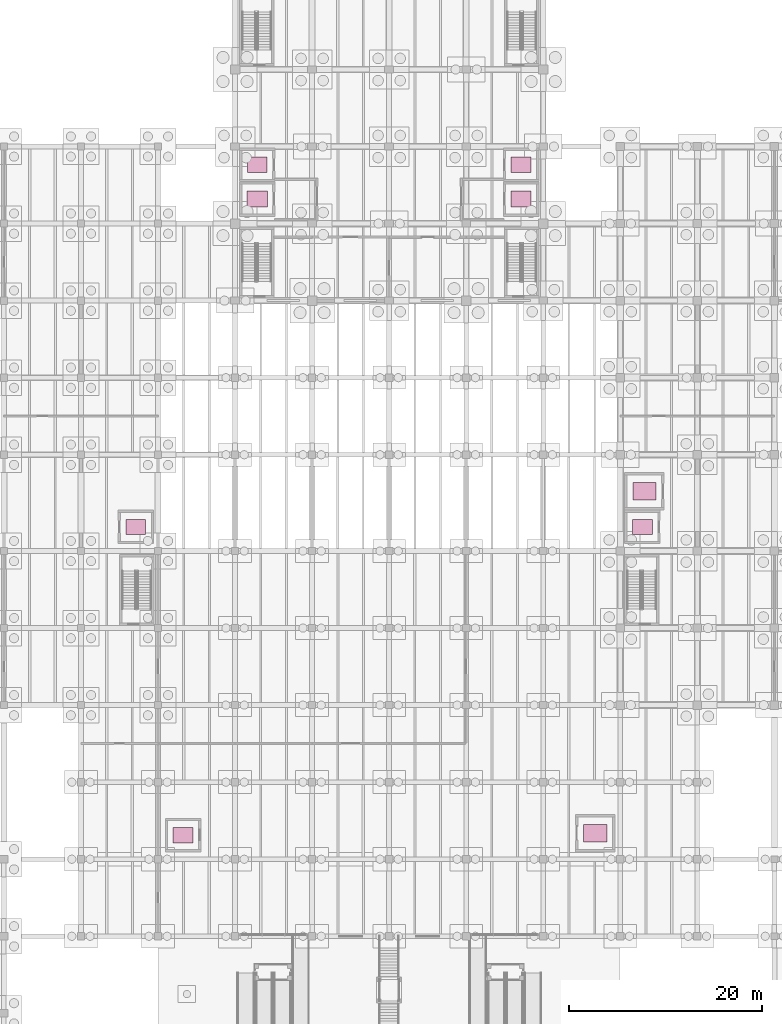
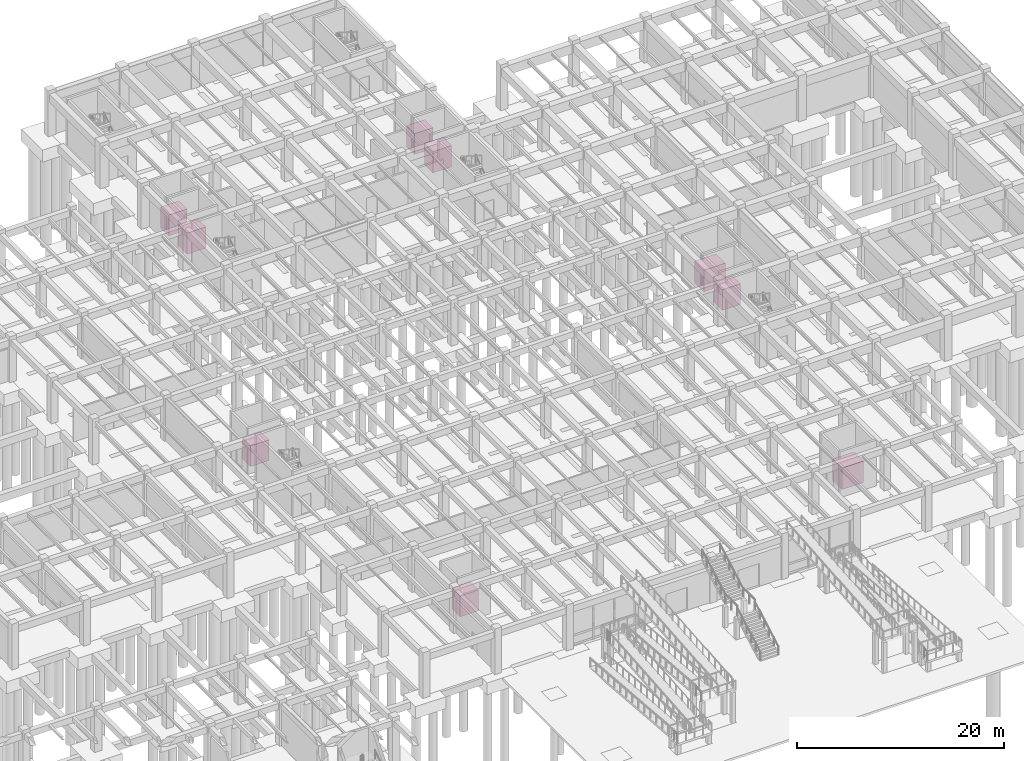
# One storey, part 44 of 44: 9 transport elements.
"""IFC4 building model written with IfcOpenShell, lengths in metres."""

from ifc_helpers import new_model, si_unit, direction, frame, origin, origin_2d, place, context, subcontext, project, spatial, rectangle, extrude, material, type_object, element, save


model = new_model("IFC4")

# Units and contexts
model_context = context("Model", 3, precision=1e-05, world=origin(), true_north=direction((0.0, 1.0)))
body_context = subcontext(model_context, "Body", "Model", "MODEL_VIEW")
ifc_project = project(units=[si_unit("LENGTHUNIT", "METRE"), si_unit("AREAUNIT", "SQUARE_METRE"), si_unit("VOLUMEUNIT", "CUBIC_METRE"), si_unit("PLANEANGLEUNIT", "RADIAN"), si_unit("MASSUNIT", "GRAM", prefix="KILO")], contexts=[model_context])

# Site, building, storey
site_placement = place(None, origin())
site = spatial("IfcSite", under=ifc_project, at=site_placement, CompositionType="ELEMENT")
building_placement = place(site_placement, origin())
building = spatial("IfcBuilding", under=site, at=building_placement, Name="Pecanmere Concourse Central Library", CompositionType="ELEMENT")
storey_placement = place(building_placement, frame((0.0, 0.0, -5.39990234375)))
storey = spatial("IfcBuildingStorey", under=building, at=storey_placement, Name="B1", CompositionType="ELEMENT", Elevation=-5.39990234375)

# Transport elements
ifc_material_1 = material(Name="Brushed stainless steel Grade 316", Category="steel")
transport_element_type_1 = type_object("IfcTransportElementType", Name="LIFT_TYPE_LF-01", PredefinedType="ELEVATOR", material=ifc_material_1)
transport_element_1_placement = place(storey_placement, frame((74.300048828125, 100.550048828125, 0.0498046875), z_axis=(0.0, 0.0, 1.0), x_axis=(1.0, 0.0, 0.0)))
element("IfcTransportElement", 1, at=transport_element_1_placement, inside=storey, type_object=transport_element_type_1, Name="Firefighting Elevator LF-01", PredefinedType="ELEVATOR", context=body_context, shape_type="SweptSolid", body=[
    extrude(rectangle(XDim=2.10009765625, YDim=1.64990234375, at=origin_2d()), origin(), (0.0, 0.0, 1.0), 2.5),
])
ifc_material_2 = material(Name="Brushed stainless steel Grade 316", Category="steel")
transport_element_type_2 = type_object("IfcTransportElementType", Name="LIFT_TYPE_LF-02", PredefinedType="ELEVATOR", material=ifc_material_2)
transport_element_2_placement = place(storey_placement, frame((101.699951171875, 100.550048828125, 0.0498046875), z_axis=(0.0, 0.0, 1.0), x_axis=(1.0, 0.0, 0.0)))
element("IfcTransportElement", 2, at=transport_element_2_placement, inside=storey, type_object=transport_element_type_2, Name="Firefighting Elevator LF-02", PredefinedType="ELEVATOR", context=body_context, shape_type="SweptSolid", body=[
    extrude(rectangle(XDim=2.10009765625, YDim=1.64990234375, at=origin_2d()), origin(), (0.0, 0.0, 1.0), 2.5),
])
ifc_material_3 = material(Name="Brushed stainless steel Grade 316", Category="steel")
transport_element_type_3 = type_object("IfcTransportElementType", Name="LIFT_TYPE_LP-01", PredefinedType="ELEVATOR", material=ifc_material_3)
transport_element_3_placement = place(storey_placement, frame((74.300048828125, 104.10009765625, 0.0498046875), z_axis=(0.0, 0.0, 1.0), x_axis=(1.0, 0.0, 0.0)))
element("IfcTransportElement", 3, at=transport_element_3_placement, inside=storey, type_object=transport_element_type_3, Name="Atrium Passenger Elevator LP-01", PredefinedType="ELEVATOR", context=body_context, shape_type="SweptSolid", body=[
    extrude(rectangle(XDim=2.050048828125, YDim=1.60009765625, at=origin_2d()), origin(), (0.0, 0.0, 1.0), 2.449951171875),
])
ifc_material_4 = material(Name="Brushed stainless steel Grade 316", Category="steel")
transport_element_type_4 = type_object("IfcTransportElementType", Name="LIFT_TYPE_LP-02", PredefinedType="ELEVATOR", material=ifc_material_4)
transport_element_4_placement = place(storey_placement, frame((101.699951171875, 104.10009765625, 0.0498046875), z_axis=(0.0, 0.0, 1.0), x_axis=(1.0, 0.0, 0.0)))
element("IfcTransportElement", 4, at=transport_element_4_placement, inside=storey, type_object=transport_element_type_4, Name="Atrium Passenger Elevator LP-02", PredefinedType="ELEVATOR", context=body_context, shape_type="SweptSolid", body=[
    extrude(rectangle(XDim=2.050048828125, YDim=1.60009765625, at=origin_2d()), origin(), (0.0, 0.0, 1.0), 2.449951171875),
])
ifc_material_5 = material(Name="Brushed stainless steel Grade 316", Category="steel")
transport_element_type_5 = type_object("IfcTransportElementType", Name="LIFT_TYPE_LP-03", PredefinedType="ELEVATOR", material=ifc_material_5)
transport_element_5_placement = place(storey_placement, frame((114.300048828125, 66.5, 0.0498046875), z_axis=(0.0, 0.0, 1.0), x_axis=(1.0, 0.0, 0.0)))
element("IfcTransportElement", 5, at=transport_element_5_placement, inside=storey, type_object=transport_element_type_5, Name="East Wing Passenger Elevator LP-03", PredefinedType="ELEVATOR", context=body_context, shape_type="SweptSolid", body=[
    extrude(rectangle(XDim=2.050048828125, YDim=1.60009765625, at=origin_2d()), origin(), (0.0, 0.0, 1.0), 2.449951171875),
])
ifc_material_6 = material(Name="Brushed stainless steel Grade 316", Category="steel")
transport_element_type_6 = type_object("IfcTransportElementType", Name="LIFT_TYPE_LP-04", PredefinedType="ELEVATOR", material=ifc_material_6)
transport_element_6_placement = place(storey_placement, frame((61.699951171875, 66.5, 0.0498046875), z_axis=(0.0, 0.0, 1.0), x_axis=(1.0, 0.0, 0.0)))
element("IfcTransportElement", 6, at=transport_element_6_placement, inside=storey, type_object=transport_element_type_6, Name="West Wing Passenger Elevator LP-04", PredefinedType="ELEVATOR", context=body_context, shape_type="SweptSolid", body=[
    extrude(rectangle(XDim=2.050048828125, YDim=1.60009765625, at=origin_2d()), origin(), (0.0, 0.0, 1.0), 2.449951171875),
])
ifc_material_7 = material(Name="Brushed stainless steel Grade 316", Category="steel")
transport_element_type_7 = type_object("IfcTransportElementType", Name="LIFT_TYPE_LP-05", PredefinedType="ELEVATOR", material=ifc_material_7)
transport_element_7_placement = place(storey_placement, frame((66.60009765625, 34.5, 0.0498046875), z_axis=(0.0, 0.0, 1.0), x_axis=(1.0, 0.0, 0.0)))
element("IfcTransportElement", 7, at=transport_element_7_placement, inside=storey, type_object=transport_element_type_7, Name="Transit Forecourt and Auditorium Elevator LP-05", PredefinedType="ELEVATOR", context=body_context, shape_type="SweptSolid", body=[
    extrude(rectangle(XDim=2.050048828125, YDim=1.60009765625, at=origin_2d()), origin(), (0.0, 0.0, 1.0), 2.449951171875),
])
ifc_material_8 = material(Name="Brushed stainless steel Grade 316", Category="steel")
transport_element_type_8 = type_object("IfcTransportElementType", Name="LIFT_TYPE_LS-01", PredefinedType="ELEVATOR", material=ifc_material_8)
transport_element_8_placement = place(storey_placement, frame((114.5, 70.199951171875, 0.0498046875), z_axis=(0.0, 0.0, 1.0), x_axis=(1.0, 0.0, 0.0)))
element("IfcTransportElement", 8, at=transport_element_8_placement, inside=storey, type_object=transport_element_type_8, Name="East Stacks Freight Elevator LS-01", PredefinedType="ELEVATOR", context=body_context, shape_type="SweptSolid", body=[
    extrude(rectangle(XDim=2.39990234375, YDim=1.800048828125, at=origin_2d()), origin(), (0.0, 0.0, 1.0), 2.550048828125),
])
ifc_material_9 = material(Name="Brushed stainless steel Grade 316", Category="steel")
transport_element_type_9 = type_object("IfcTransportElementType", Name="LIFT_TYPE_LS-02", PredefinedType="ELEVATOR", material=ifc_material_9)
transport_element_9_placement = place(storey_placement, frame((109.39990234375, 34.699951171875, 0.0498046875), z_axis=(0.0, 0.0, 1.0), x_axis=(1.0, 0.0, 0.0)))
element("IfcTransportElement", 9, at=transport_element_9_placement, inside=storey, type_object=transport_element_type_9, Name="Loading Dock and Children Wing Service Elevator LS-02", PredefinedType="ELEVATOR", context=body_context, shape_type="SweptSolid", body=[
    extrude(rectangle(XDim=2.39990234375, YDim=1.800048828125, at=origin_2d()), origin(), (0.0, 0.0, 1.0), 2.550048828125),
])

save(model, "model.ifc")
